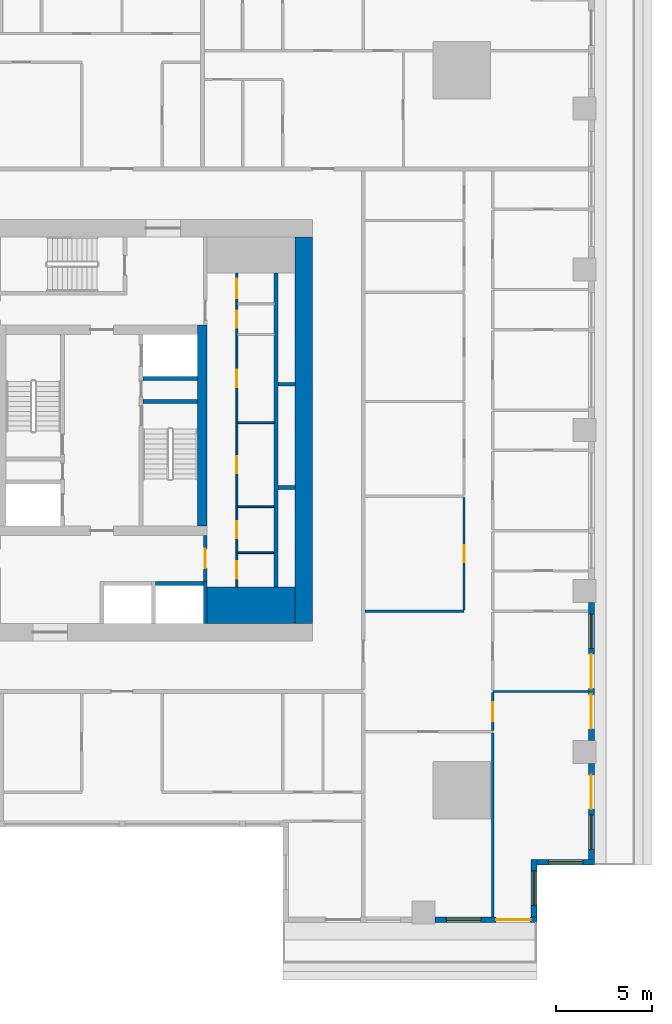
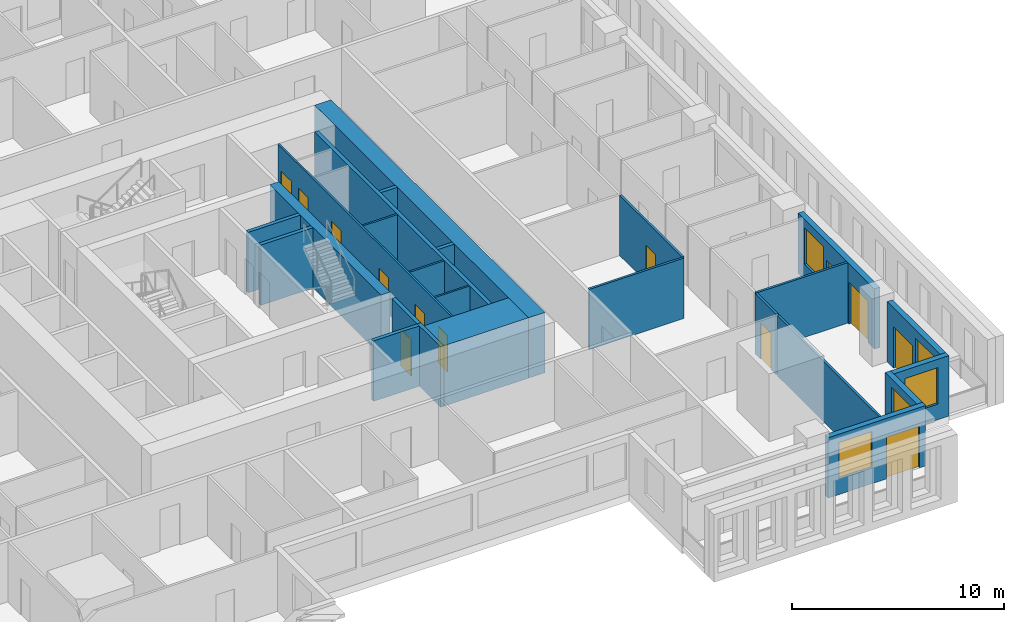
# One storey, part 5 of 15: 25 walls, 13 doors, 5 windows, 18 openings.
"""IFC4 building model written with IfcOpenShell, lengths in metres."""

from ifc_helpers import new_model, si_unit, direction, frame, frame_2d, origin, place, context, subcontext, project, spatial, rectangle, extrude, material, layer, layer_set, type_object, element, fill, save


model = new_model("IFC4")

# Units and contexts
model_context = context("Model", 3, precision=1e-05, world=origin(), true_north=direction((0.0, 1.0)))
body_context = subcontext(model_context, "Body", "Model", "MODEL_VIEW")
ifc_project = project(units=[si_unit("LENGTHUNIT", "METRE"), si_unit("AREAUNIT", "SQUARE_METRE"), si_unit("VOLUMEUNIT", "CUBIC_METRE"), si_unit("PLANEANGLEUNIT", "RADIAN"), si_unit("MASSUNIT", "GRAM", prefix="KILO")], contexts=[model_context])

# Site, building, storey
site_placement = place(None, origin())
site = spatial("IfcSite", under=ifc_project, at=site_placement, CompositionType="ELEMENT")
building_placement = place(site_placement, origin())
building = spatial("IfcBuilding", under=site, at=building_placement, Name="Khepri Terraces", CompositionType="ELEMENT")
storey_placement = place(building_placement, frame((0.0, 0.0, 54.300048828125)))
storey = spatial("IfcBuildingStorey", under=building, at=storey_placement, Name="L12", CompositionType="ELEMENT", Elevation=54.300048828125)

# Walls
ifc_material_1 = material(Name="Concrete C80/95", Category="concrete")
ifc_layer_1 = layer(ifc_material_1, 1.89990234375, Name="Concrete C80/95", Category="concrete")
ifc_layer_set_1 = layer_set([ifc_layer_1], Name="Concrete C80/95")
wall_type_1 = type_object("IfcWallType", Name="Core wall 1900 C80/95", PredefinedType="SHEAR", material=ifc_layer_set_1)
wall_1_placement = place(storey_placement, frame((5.5, -9.14990234375, 0.0), z_axis=(0.0, 0.0, 1.0), x_axis=(1.0, 0.0, 0.0)))
element("IfcWall", 1, at=wall_1_placement, inside=storey, type_object=wall_type_1, Name="Core wall PR02 L12", PredefinedType="SHEAR", context=body_context, shape_type="SweptSolid", body=[
    extrude(rectangle(XDim=4.60009765625, YDim=1.89990234375, at=frame_2d((2.300048828125, 0.0))), origin(), (0.0, 0.0, 1.0), 3.47998046875),
])
ifc_layer_2 = layer(ifc_material_1, 0.199951171875, Name="Concrete C80/95", Category="concrete")
ifc_layer_set_2 = layer_set([ifc_layer_2], Name="Concrete C80/95")
wall_type_2 = type_object("IfcWallType", Name="Core wall 200 C80/95", PredefinedType="SHEAR", material=ifc_layer_set_2)
wall_2_placement = place(storey_placement, frame((2.14990234375, 1.5, 0.0), z_axis=(0.0, 0.0, 1.0), x_axis=(1.0, 0.0, 0.0)))
element("IfcWall", 2, at=wall_2_placement, inside=storey, type_object=wall_type_2, Name="Core wall ST04 L12", PredefinedType="SHEAR", context=body_context, shape_type="SweptSolid", body=[
    extrude(rectangle(XDim=2.85009765625, YDim=0.199951171875, at=frame_2d((1.425048828125, 0.0))), origin(), (0.0, 0.0, 1.0), 3.47998046875),
])
wall_3_placement = place(storey_placement, frame((5.39990234375, -10.10009765625, 0.0), z_axis=(0.0, 0.0, 1.0), x_axis=(0.0, 1.0, 0.0)))
element("IfcWall", 3, at=wall_3_placement, inside=storey, type_object=wall_type_2, Name="Core wall SH03 L12", PredefinedType="SHEAR", context=body_context, shape_type="SweptSolid", body=[
    extrude(rectangle(XDim=2.2001953125, YDim=0.199951171875, at=frame_2d((1.10009765625, 0.0))), origin(), (0.0, 0.0, 1.0), 3.47998046875),
])
wall_4_placement = place(storey_placement, frame((9.10009765625, -8.199951171875, 0.0), z_axis=(0.0, 0.0, 1.0), x_axis=(0.0, 1.0, 0.0)))
element("IfcWall", 4, at=wall_4_placement, inside=storey, type_object=wall_type_2, Name="Core wall SH05 L12", PredefinedType="SHEAR", context=body_context, shape_type="SweptSolid", body=[
    extrude(rectangle(XDim=16.39990234375, YDim=0.199951171875, at=frame_2d((8.199951171875, 0.0))), origin(), (0.0, 0.0, 1.0), 3.47998046875),
])
wall_5_placement = place(storey_placement, frame((2.800048828125, -8.0, 0.0), z_axis=(0.0, 0.0, 1.0), x_axis=(1.0, 0.0, 0.0)))
element("IfcWall", 5, at=wall_5_placement, inside=storey, type_object=wall_type_2, Name="Core wall SH07 L12", PredefinedType="SHEAR", context=body_context, shape_type="SweptSolid", body=[
    extrude(rectangle(XDim=2.5, YDim=0.199951171875, at=frame_2d((1.25, 0.0))), origin(), (0.0, 0.0, 1.0), 3.47998046875),
])
for number, where, z_axis, x_axis, name in (
    (6, (9.199951171875, -3.0, 0.0), (0.0, 0.0, 1.0), (1.0, 0.0, 0.0), "Core wall SH11 L12"),
    (7, (9.199951171875, 2.39990234375, 0.0), (0.0, 0.0, 1.0), (1.0, 0.0, 0.0), "Core wall SH16 L12"),
):
    element("IfcWall", number, at=place(storey_placement, frame(where, z_axis=z_axis, x_axis=x_axis)), inside=storey, type_object=wall_type_2, Name=name, PredefinedType="SHEAR", context=body_context, shape_type="SweptSolid", body=[
        extrude(rectangle(XDim=0.900146484375, YDim=0.199951171875, at=frame_2d((0.4501953125, 0.0))), origin(), (0.0, 0.0, 1.0), 3.47998046875),
    ])
wall_6_placement = place(storey_placement, frame((2.14990234375, 2.699951171875, 0.0), z_axis=(0.0, 0.0, 1.0), x_axis=(1.0, 0.0, 0.0)))
element("IfcWall", 8, at=wall_6_placement, inside=storey, type_object=wall_type_2, Name="Core wall SH18 L12", PredefinedType="SHEAR", context=body_context, shape_type="SweptSolid", body=[
    extrude(rectangle(XDim=2.85009765625, YDim=0.199951171875, at=frame_2d((1.425048828125, 0.0))), origin(), (0.0, 0.0, 1.0), 3.47998046875),
])
ifc_layer_3 = layer(ifc_material_1, 0.5, Name="Concrete C80/95", Category="concrete")
ifc_layer_set_3 = layer_set([ifc_layer_3], Name="Concrete C80/95")
wall_type_3 = type_object("IfcWallType", Name="Core wall 500 C80/95", PredefinedType="SHEAR", material=ifc_layer_set_3)
wall_7_placement = place(storey_placement, frame((5.25, -5.0, 0.0), z_axis=(0.0, 0.0, 1.0), x_axis=(0.0, 1.0, 0.0)))
element("IfcWall", 9, at=wall_7_placement, inside=storey, type_object=wall_type_3, Name="Core wall BX03 L12", PredefinedType="SHEAR", context=body_context, shape_type="SweptSolid", body=[
    extrude(rectangle(XDim=10.5, YDim=0.5, at=frame_2d((5.25, 0.0))), origin(), (0.0, 0.0, 1.0), 3.47998046875),
])
ifc_layer_4 = layer(ifc_material_1, 0.89990234375, Name="Concrete C80/95", Category="concrete")
ifc_layer_set_4 = layer_set([ifc_layer_4], Name="Concrete C80/95")
wall_type_4 = type_object("IfcWallType", Name="Core wall 900 C80/95", PredefinedType="SHEAR", material=ifc_layer_set_4)
wall_8_placement = place(storey_placement, frame((10.550048828125, -10.10009765625, 0.0), z_axis=(0.0, 0.0, 1.0), x_axis=(0.0, 1.0, 0.0)))
element("IfcWall", 10, at=wall_8_placement, inside=storey, type_object=wall_type_4, Name="Core wall OW-E L12", PredefinedType="SHEAR", context=body_context, shape_type="SweptSolid", body=[
    extrude(rectangle(XDim=20.2001953125, YDim=0.89990234375, at=frame_2d((10.10009765625, 0.0))), origin(), (0.0, 0.0, 1.0), 3.47998046875),
])

# Wall, openings, doors
ifc_material_2 = material(Name="Fire-rated gypsum board partition")
ifc_layer_5 = layer(ifc_material_2, 0.10009765625, Name="Fire-rated gypsum board partition")
ifc_layer_set_5 = layer_set([ifc_layer_5], Name="Fire-rated gypsum board partition")
wall_type_5 = type_object("IfcWallType", Name="WL-CORE-PART-100", PredefinedType="PARTITIONING", material=ifc_layer_set_5)
wall_9_placement = place(storey_placement, frame((7.050048828125, -8.199951171875, 0.0), z_axis=(0.0, 0.0, 1.0), x_axis=(0.0, 1.0, 0.0)))
wall_9 = element("IfcWall", 11, at=wall_9_placement, inside=storey, type_object=wall_type_5, Name="Core partition PT02 L12", PredefinedType="PARTITIONING", context=body_context, shape_type="SweptSolid", body=[
    extrude(rectangle(XDim=16.39990234375, YDim=0.10009765625, at=frame_2d((8.199951171875, 0.0))), origin(), (0.0, 0.0, 1.0), 3.47998046875),
])
opening_1_placement = place(wall_9_placement, frame((0.449951171875, 0.0, 0.0)))
opening_1 = element("IfcOpeningElement", 12, at=opening_1_placement, cuts=wall_9, Name="Opening L12-C22", PredefinedType="OPENING", context=body_context, shape_type="SweptSolid", body=[
    extrude(rectangle(XDim=0.89990234375, YDim=2.10009765625, at=frame_2d((0.449951171875, 1.050048828125))), frame((0.0, 0.06005859375, 0.0), z_axis=(0.0, -1.0, 0.0), x_axis=(1.0, 0.0, 0.0)), (0.0, 0.0, 1.0), 0.1201171875),
])
opening_2_placement = place(wall_9_placement, frame((2.550048828125, 0.0, 0.0)))
opening_2 = element("IfcOpeningElement", 13, at=opening_2_placement, cuts=wall_9, Name="Opening L12-C23", PredefinedType="OPENING", context=body_context, shape_type="SweptSolid", body=[
    extrude(rectangle(XDim=0.89990234375, YDim=2.10009765625, at=frame_2d((0.449951171875, 1.050048828125))), frame((0.0, 0.06005859375, 0.0), z_axis=(0.0, -1.0, 0.0), x_axis=(1.0, 0.0, 0.0)), (0.0, 0.0, 1.0), 0.1201171875),
])
opening_3_placement = place(wall_9_placement, frame((5.949951171875, 0.0, 0.0)))
opening_3 = element("IfcOpeningElement", 14, at=opening_3_placement, cuts=wall_9, Name="Opening L12-C24", PredefinedType="OPENING", context=body_context, shape_type="SweptSolid", body=[
    extrude(rectangle(XDim=0.89990234375, YDim=2.10009765625, at=frame_2d((0.449951171875, 1.050048828125))), frame((0.0, 0.06005859375, 0.0), z_axis=(0.0, -1.0, 0.0), x_axis=(1.0, 0.0, 0.0)), (0.0, 0.0, 1.0), 0.1201171875),
])
opening_4_placement = place(wall_9_placement, frame((10.449951171875, 0.0, 0.0)))
opening_4 = element("IfcOpeningElement", 15, at=opening_4_placement, cuts=wall_9, Name="Opening L12-C25", PredefinedType="OPENING", context=body_context, shape_type="SweptSolid", body=[
    extrude(rectangle(XDim=0.89990234375, YDim=2.10009765625, at=frame_2d((0.449951171875, 1.050048828125))), frame((0.0, 0.06005859375, 0.0), z_axis=(0.0, -1.0, 0.0), x_axis=(1.0, 0.0, 0.0)), (0.0, 0.0, 1.0), 0.1201171875),
])
opening_5_placement = place(wall_9_placement, frame((13.550048828125, 0.0, 0.0)))
opening_5 = element("IfcOpeningElement", 16, at=opening_5_placement, cuts=wall_9, Name="Opening L12-C26", PredefinedType="OPENING", context=body_context, shape_type="SweptSolid", body=[
    extrude(rectangle(XDim=0.89990234375, YDim=2.10009765625, at=frame_2d((0.449951171875, 1.050048828125))), frame((0.0, 0.06005859375, 0.0), z_axis=(0.0, -1.0, 0.0), x_axis=(1.0, 0.0, 0.0)), (0.0, 0.0, 1.0), 0.1201171875),
])
opening_6_placement = place(wall_9_placement, frame((15.10009765625, 0.0, 0.0)))
opening_6 = element("IfcOpeningElement", 17, at=opening_6_placement, cuts=wall_9, Name="Opening L12-C27", PredefinedType="OPENING", context=body_context, shape_type="SweptSolid", body=[
    extrude(rectangle(XDim=1.0, YDim=2.10009765625, at=frame_2d((0.5, 1.050048828125))), frame((0.0, 0.06005859375, 0.0), z_axis=(0.0, -1.0, 0.0), x_axis=(1.0, 0.0, 0.0)), (0.0, 0.0, 1.0), 0.1201171875),
])
ifc_material_3 = material(Name="Painted steel", Category="steel")
door_type_1 = type_object("IfcDoorType", Name="DR-CORE-SERVICE-900", OperationType="NOTDEFINED", PredefinedType="DOOR", material=ifc_material_3)
door_1_placement = place(opening_1_placement, frame((0.89990234375, 0.0, 0.0), z_axis=(0.0, 0.0, 1.0), x_axis=(-1.0, 0.0, 0.0)))
door_1 = element("IfcDoor", 18, at=door_1_placement, inside=storey, type_object=door_type_1, Name="Service room door L12-C22", OperationType="SINGLE_SWING_RIGHT", OverallHeight=2.10009765625, OverallWidth=0.89990234375, PredefinedType="DOOR", context=body_context, shape_type="SweptSolid", body=[
    extrude(rectangle(XDim=0.89990234375, YDim=2.10009765625, at=frame_2d((0.449951171875, 1.050048828125))), frame((0.0, 0.02490234375, 0.0), z_axis=(0.0, -1.0, 0.0), x_axis=(1.0, 0.0, 0.0)), (0.0, 0.0, 1.0), 0.050048828125),
])
fill(opening_1, door_1)
door_2_placement = place(opening_2_placement, frame((0.89990234375, 0.0, 0.0), z_axis=(0.0, 0.0, 1.0), x_axis=(-1.0, 0.0, 0.0)))
door_2 = element("IfcDoor", 19, at=door_2_placement, inside=storey, type_object=door_type_1, Name="Service room door L12-C23", OperationType="SINGLE_SWING_RIGHT", OverallHeight=2.10009765625, OverallWidth=0.89990234375, PredefinedType="DOOR", context=body_context, shape_type="SweptSolid", body=[
    extrude(rectangle(XDim=0.89990234375, YDim=2.10009765625, at=frame_2d((0.449951171875, 1.050048828125))), frame((0.0, 0.02490234375, 0.0), z_axis=(0.0, -1.0, 0.0), x_axis=(1.0, 0.0, 0.0)), (0.0, 0.0, 1.0), 0.050048828125),
])
fill(opening_2, door_2)
door_3_placement = place(opening_3_placement, frame((0.89990234375, 0.0, 0.0), z_axis=(0.0, 0.0, 1.0), x_axis=(-1.0, 0.0, 0.0)))
door_3 = element("IfcDoor", 20, at=door_3_placement, inside=storey, type_object=door_type_1, Name="Service room door L12-C24", OperationType="SINGLE_SWING_RIGHT", OverallHeight=2.10009765625, OverallWidth=0.89990234375, PredefinedType="DOOR", context=body_context, shape_type="SweptSolid", body=[
    extrude(rectangle(XDim=0.89990234375, YDim=2.10009765625, at=frame_2d((0.449951171875, 1.050048828125))), frame((0.0, 0.02490234375, 0.0), z_axis=(0.0, -1.0, 0.0), x_axis=(1.0, 0.0, 0.0)), (0.0, 0.0, 1.0), 0.050048828125),
])
fill(opening_3, door_3)
door_4_placement = place(opening_4_placement, frame((0.89990234375, 0.0, 0.0), z_axis=(0.0, 0.0, 1.0), x_axis=(-1.0, 0.0, 0.0)))
door_4 = element("IfcDoor", 21, at=door_4_placement, inside=storey, type_object=door_type_1, Name="Service room door L12-C25", OperationType="SINGLE_SWING_LEFT", OverallHeight=2.10009765625, OverallWidth=0.89990234375, PredefinedType="DOOR", context=body_context, shape_type="SweptSolid", body=[
    extrude(rectangle(XDim=0.89990234375, YDim=2.10009765625, at=frame_2d((0.449951171875, 1.050048828125))), frame((0.0, 0.02490234375, 0.0), z_axis=(0.0, -1.0, 0.0), x_axis=(1.0, 0.0, 0.0)), (0.0, 0.0, 1.0), 0.050048828125),
])
fill(opening_4, door_4)
door_5_placement = place(opening_5_placement, frame((0.89990234375, 0.0, 0.0), z_axis=(0.0, 0.0, 1.0), x_axis=(-1.0, 0.0, 0.0)))
door_5 = element("IfcDoor", 22, at=door_5_placement, inside=storey, type_object=door_type_1, Name="Service room door L12-C26", OperationType="SINGLE_SWING_LEFT", OverallHeight=2.10009765625, OverallWidth=0.89990234375, PredefinedType="DOOR", context=body_context, shape_type="SweptSolid", body=[
    extrude(rectangle(XDim=0.89990234375, YDim=2.10009765625, at=frame_2d((0.449951171875, 1.050048828125))), frame((0.0, 0.02490234375, 0.0), z_axis=(0.0, -1.0, 0.0), x_axis=(1.0, 0.0, 0.0)), (0.0, 0.0, 1.0), 0.050048828125),
])
fill(opening_5, door_5)
ifc_material_4 = material(Name="Timber veneer", Category="wood")
door_type_2 = type_object("IfcDoorType", Name="DR-CORE-WC-1000", OperationType="NOTDEFINED", PredefinedType="DOOR", material=ifc_material_4)
door_6_placement = place(opening_6_placement, frame((1.0, 0.0, 0.0), z_axis=(0.0, 0.0, 1.0), x_axis=(-1.0, 0.0, 0.0)))
door_6 = element("IfcDoor", 23, at=door_6_placement, inside=storey, type_object=door_type_2, Name="WC door L12-C27", OperationType="SINGLE_SWING_LEFT", OverallHeight=2.10009765625, OverallWidth=1.0, PredefinedType="DOOR", context=body_context, shape_type="SweptSolid", body=[
    extrude(rectangle(XDim=1.0, YDim=2.10009765625, at=frame_2d((0.5, 1.050048828125))), frame((0.0, 0.02490234375, 0.0), z_axis=(0.0, -1.0, 0.0), x_axis=(1.0, 0.0, 0.0)), (0.0, 0.0, 1.0), 0.050048828125),
])
fill(opening_6, door_6)

# Walls
for number, where, z_axis, x_axis, name in (
    (24, (7.10009765625, -6.39990234375, 0.0), (0.0, 0.0, 1.0), (1.0, 0.0, 0.0), "Core partition PT04 L12"),
    (25, (7.10009765625, -4.0, 0.0), (0.0, 0.0, 1.0), (1.0, 0.0, 0.0), "Core partition PT05 L12"),
    (26, (7.10009765625, 0.39990234375, 0.0), (0.0, 0.0, 1.0), (1.0, 0.0, 0.0), "Core partition PT06 L12"),
):
    element("IfcWall", number, at=place(storey_placement, frame(where, z_axis=z_axis, x_axis=x_axis)), inside=storey, type_object=wall_type_5, Name=name, PredefinedType="PARTITIONING", context=body_context, shape_type="SweptSolid", body=[
        extrude(rectangle(XDim=1.89990234375, YDim=0.10009765625, at=frame_2d((0.949951171875, 0.0))), origin(), (0.0, 0.0, 1.0), 3.47998046875),
    ])

# Wall, opening, door
ifc_layer_6 = layer(ifc_material_2, 0.199951171875, Name="Fire-rated gypsum board partition")
ifc_layer_set_6 = layer_set([ifc_layer_6], Name="Fire-rated gypsum board partition")
wall_type_6 = type_object("IfcWallType", Name="WL-CORE-PART-200", PredefinedType="PARTITIONING", material=ifc_layer_set_6)
wall_10_placement = place(storey_placement, frame((5.39990234375, -7.89990234375, 0.0), z_axis=(0.0, 0.0, 1.0), x_axis=(0.0, 1.0, 0.0)))
wall_10 = element("IfcWall", 27, at=wall_10_placement, inside=storey, type_object=wall_type_6, Name="Core partition PT03 L12", PredefinedType="PARTITIONING", context=body_context, shape_type="SweptSolid", body=[
    extrude(rectangle(XDim=2.39990234375, YDim=0.199951171875, at=frame_2d((1.199951171875, 0.0))), origin(), (0.0, 0.0, 1.0), 3.47998046875),
])
opening_7_placement = place(wall_10_placement, frame((0.699951171875, 0.0, 0.0)))
opening_7 = element("IfcOpeningElement", 28, at=opening_7_placement, cuts=wall_10, Name="Opening L12-C19", PredefinedType="OPENING", context=body_context, shape_type="SweptSolid", body=[
    extrude(rectangle(XDim=1.0, YDim=2.10009765625, at=frame_2d((0.5, 1.050048828125))), frame((0.0, 0.10986328125, 0.0), z_axis=(0.0, -1.0, 0.0), x_axis=(1.0, 0.0, 0.0)), (0.0, 0.0, 1.0), 0.219970703125),
])
door_type_3 = type_object("IfcDoorType", Name="DR-CORE-LOBBY-1000", OperationType="NOTDEFINED", PredefinedType="DOOR", material=ifc_material_3)
door_7_placement = place(opening_7_placement, origin())
door_7 = element("IfcDoor", 29, at=door_7_placement, inside=storey, type_object=door_type_3, Name="Lobby door L12-C19", OperationType="SINGLE_SWING_RIGHT", OverallHeight=2.10009765625, OverallWidth=1.0, PredefinedType="DOOR", context=body_context, shape_type="SweptSolid", body=[
    extrude(rectangle(XDim=1.0, YDim=2.10009765625, at=frame_2d((0.5, 1.050048828125))), frame((0.0, 0.02490234375, 0.0), z_axis=(0.0, -1.0, 0.0), x_axis=(1.0, 0.0, 0.0)), (0.0, 0.0, 1.0), 0.050048828125),
])
fill(opening_7, door_7)

# Wall, opening, window
ifc_material_5 = material(Name="Precast concrete C50/60 warm stone", Category="masonry")
ifc_layer_7 = layer(ifc_material_5, 0.300048828125, Name="Precast concrete C50/60 warm stone", Category="masonry")
ifc_layer_set_7 = layer_set([ifc_layer_7], Name="Precast concrete C50/60 warm stone")
wall_type_7 = type_object("IfcWallType", Name="WL-EXT-PRECAST-300", PredefinedType="STANDARD", material=ifc_layer_set_7)
wall_11_placement = place(storey_placement, frame((22.719970703125, -22.570068359375, 0.0), z_axis=(0.0, 0.0, 1.0), x_axis=(1.0, 0.0, 0.0)))
wall_11 = element("IfcWall", 30, at=wall_11_placement, inside=storey, type_object=wall_type_7, Name="External wall L12 S", PredefinedType="STANDARD", context=body_context, shape_type="SweptSolid", body=[
    extrude(rectangle(XDim=3.0, YDim=0.300048828125, at=frame_2d((1.5, 0.0))), origin(), (0.0, 0.0, 1.0), 3.47998046875),
])
opening_8_placement = place(wall_11_placement, frame((0.60009765625, 0.0, 0.89990234375)))
opening_8 = element("IfcOpeningElement", 31, at=opening_8_placement, cuts=wall_11, Name="Opening W1", PredefinedType="OPENING", context=body_context, shape_type="SweptSolid", body=[
    extrude(rectangle(XDim=1.800048828125, YDim=2.10009765625, at=frame_2d((0.89990234375, 1.050048828125))), frame((0.0, 0.16015625, 0.0), z_axis=(0.0, -1.0, 0.0), x_axis=(1.0, 0.0, 0.0)), (0.0, 0.0, 1.0), 0.320068359375),
])
ifc_material_6 = material(Name="Clear glass", Category="glass")
window_type = type_object("IfcWindowType", Name="WIN-RES-1800x2100", PartitioningType="SINGLE_PANEL", PredefinedType="WINDOW", material=ifc_material_6)
window_1_placement = place(opening_8_placement, origin())
window_1 = element("IfcWindow", 32, at=window_1_placement, inside=storey, type_object=window_type, Name="Window L12 S", OverallHeight=2.10009765625, OverallWidth=1.800048828125, PartitioningType="SINGLE_PANEL", PredefinedType="WINDOW", context=body_context, shape_type="SweptSolid", body=[
    extrude(rectangle(XDim=1.800048828125, YDim=2.10009765625, at=frame_2d((0.89990234375, 1.050048828125))), frame((0.0, 0.030029296875, 0.0), z_axis=(0.0, -1.0, 0.0), x_axis=(1.0, 0.0, 0.0)), (0.0, 0.0, 1.0), 0.06005859375),
])
fill(opening_8, window_1)

# Wall, openings, door, window
wall_12_placement = place(storey_placement, frame((25.570068359375, -22.419921875, 0.0), z_axis=(0.0, 0.0, 1.0), x_axis=(0.0, 1.0, 0.0)))
wall_12 = element("IfcWall", 33, at=wall_12_placement, inside=storey, type_object=wall_type_7, Name="External wall L12 E", PredefinedType="STANDARD", context=body_context, shape_type="SweptSolid", body=[
    extrude(rectangle(XDim=5.02001953125, YDim=0.300048828125, at=frame_2d((2.510009765625, 0.0))), origin(), (0.0, 0.0, 1.0), 3.47998046875),
])
opening_9_placement = place(wall_12_placement, frame((0.52001953125, 0.0, 0.89990234375)))
opening_9 = element("IfcOpeningElement", 34, at=opening_9_placement, cuts=wall_12, Name="Opening W1", PredefinedType="OPENING", context=body_context, shape_type="SweptSolid", body=[
    extrude(rectangle(XDim=1.800048828125, YDim=2.10009765625, at=frame_2d((0.89990234375, 1.050048828125))), frame((0.0, 0.16015625, 0.0), z_axis=(0.0, -1.0, 0.0), x_axis=(1.0, 0.0, 0.0)), (0.0, 0.0, 1.0), 0.320068359375),
])
opening_10_placement = place(wall_12_placement, frame((2.6201171875, 0.0, 0.0)))
opening_10 = element("IfcOpeningElement", 35, at=opening_10_placement, cuts=wall_12, Name="Opening ED-L12-01", PredefinedType="OPENING", context=body_context, shape_type="SweptSolid", body=[
    extrude(rectangle(XDim=1.800048828125, YDim=2.39990234375, at=frame_2d((0.89990234375, 1.199951171875))), frame((0.0, 0.16015625, 0.0), z_axis=(0.0, -1.0, 0.0), x_axis=(1.0, 0.0, 0.0)), (0.0, 0.0, 1.0), 0.320068359375),
])
ifc_material_7 = material(Name="Anodised aluminium bronze glazed door", Category="aluminium")
door_type_4 = type_object("IfcDoorType", Name="DR-BAL-SLIDE-1800x2400", OperationType="NOTDEFINED", PredefinedType="DOOR", material=ifc_material_7)
door_8_placement = place(opening_10_placement, origin())
door_8 = element("IfcDoor", 36, at=door_8_placement, inside=storey, type_object=door_type_4, Name="Balcony door L12 E", OperationType="SLIDING_TO_RIGHT", OverallHeight=2.39990234375, OverallWidth=1.800048828125, PredefinedType="DOOR", context=body_context, shape_type="SweptSolid", body=[
    extrude(rectangle(XDim=1.800048828125, YDim=2.39990234375, at=frame_2d((0.89990234375, 1.199951171875))), frame((0.0, 0.02490234375, 0.0), z_axis=(0.0, -1.0, 0.0), x_axis=(1.0, 0.0, 0.0)), (0.0, 0.0, 1.0), 0.050048828125),
])
fill(opening_10, door_8)
window_2_placement = place(opening_9_placement, origin())
window_2 = element("IfcWindow", 37, at=window_2_placement, inside=storey, type_object=window_type, Name="Window L12 E", OverallHeight=2.10009765625, OverallWidth=1.800048828125, PartitioningType="SINGLE_PANEL", PredefinedType="WINDOW", context=body_context, shape_type="SweptSolid", body=[
    extrude(rectangle(XDim=1.800048828125, YDim=2.10009765625, at=frame_2d((0.89990234375, 1.050048828125))), frame((0.0, 0.030029296875, 0.0), z_axis=(0.0, -1.0, 0.0), x_axis=(1.0, 0.0, 0.0)), (0.0, 0.0, 1.0), 0.06005859375),
])
fill(opening_9, window_2)

# Wall, openings, doors, window
wall_13_placement = place(storey_placement, frame((25.570068359375, -16.199951171875, 0.0), z_axis=(0.0, 0.0, 1.0), x_axis=(0.0, 1.0, 0.0)))
wall_13 = element("IfcWall", 38, at=wall_13_placement, inside=storey, type_object=wall_type_7, Name="External wall L12 E", PredefinedType="STANDARD", context=body_context, shape_type="SweptSolid", body=[
    extrude(rectangle(XDim=7.199951171875, YDim=0.300048828125, at=frame_2d((3.60009765625, 0.0))), origin(), (0.0, 0.0, 1.0), 3.47998046875),
])
opening_11_placement = place(wall_13_placement, frame((0.60009765625, 0.0, 0.0)))
opening_11 = element("IfcOpeningElement", 39, at=opening_11_placement, cuts=wall_13, Name="Opening ED-L12-02", PredefinedType="OPENING", context=body_context, shape_type="SweptSolid", body=[
    extrude(rectangle(XDim=1.800048828125, YDim=2.39990234375, at=frame_2d((0.89990234375, 1.199951171875))), frame((0.0, 0.16015625, 0.0), z_axis=(0.0, -1.0, 0.0), x_axis=(1.0, 0.0, 0.0)), (0.0, 0.0, 1.0), 0.320068359375),
])
opening_12_placement = place(wall_13_placement, frame((2.699951171875, 0.0, 0.0)))
opening_12 = element("IfcOpeningElement", 40, at=opening_12_placement, cuts=wall_13, Name="Opening ED-L12-03", PredefinedType="OPENING", context=body_context, shape_type="SweptSolid", body=[
    extrude(rectangle(XDim=1.800048828125, YDim=2.39990234375, at=frame_2d((0.89990234375, 1.199951171875))), frame((0.0, 0.16015625, 0.0), z_axis=(0.0, -1.0, 0.0), x_axis=(1.0, 0.0, 0.0)), (0.0, 0.0, 1.0), 0.320068359375),
])
opening_13_placement = place(wall_13_placement, frame((4.800048828125, 0.0, 0.89990234375)))
opening_13 = element("IfcOpeningElement", 41, at=opening_13_placement, cuts=wall_13, Name="Opening W1", PredefinedType="OPENING", context=body_context, shape_type="SweptSolid", body=[
    extrude(rectangle(XDim=1.800048828125, YDim=2.10009765625, at=frame_2d((0.89990234375, 1.050048828125))), frame((0.0, 0.16015625, 0.0), z_axis=(0.0, -1.0, 0.0), x_axis=(1.0, 0.0, 0.0)), (0.0, 0.0, 1.0), 0.320068359375),
])
door_9_placement = place(opening_11_placement, origin())
door_9 = element("IfcDoor", 42, at=door_9_placement, inside=storey, type_object=door_type_4, Name="Balcony door L12 E", OperationType="SLIDING_TO_LEFT", OverallHeight=2.39990234375, OverallWidth=1.800048828125, PredefinedType="DOOR", context=body_context, shape_type="SweptSolid", body=[
    extrude(rectangle(XDim=1.800048828125, YDim=2.39990234375, at=frame_2d((0.89990234375, 1.199951171875))), frame((0.0, 0.02490234375, 0.0), z_axis=(0.0, -1.0, 0.0), x_axis=(1.0, 0.0, 0.0)), (0.0, 0.0, 1.0), 0.050048828125),
])
fill(opening_11, door_9)
door_10_placement = place(opening_12_placement, origin())
door_10 = element("IfcDoor", 43, at=door_10_placement, inside=storey, type_object=door_type_4, Name="Balcony door L12 E", OperationType="SLIDING_TO_RIGHT", OverallHeight=2.39990234375, OverallWidth=1.800048828125, PredefinedType="DOOR", context=body_context, shape_type="SweptSolid", body=[
    extrude(rectangle(XDim=1.800048828125, YDim=2.39990234375, at=frame_2d((0.89990234375, 1.199951171875))), frame((0.0, 0.02490234375, 0.0), z_axis=(0.0, -1.0, 0.0), x_axis=(1.0, 0.0, 0.0)), (0.0, 0.0, 1.0), 0.050048828125),
])
fill(opening_12, door_10)
window_3_placement = place(opening_13_placement, origin())
window_3 = element("IfcWindow", 44, at=window_3_placement, inside=storey, type_object=window_type, Name="Window L12 E", OverallHeight=2.10009765625, OverallWidth=1.800048828125, PartitioningType="SINGLE_PANEL", PredefinedType="WINDOW", context=body_context, shape_type="SweptSolid", body=[
    extrude(rectangle(XDim=1.800048828125, YDim=2.10009765625, at=frame_2d((0.89990234375, 1.050048828125))), frame((0.0, 0.030029296875, 0.0), z_axis=(0.0, -1.0, 0.0), x_axis=(1.0, 0.0, 0.0)), (0.0, 0.0, 1.0), 0.06005859375),
])
fill(opening_13, window_3)

# Wall, openings, door, window
wall_14_placement = place(storey_placement, frame((17.39990234375, -25.570068359375, 0.0), z_axis=(0.0, 0.0, 1.0), x_axis=(1.0, 0.0, 0.0)))
wall_14 = element("IfcWall", 45, at=wall_14_placement, inside=storey, type_object=wall_type_7, Name="External wall L12 S", PredefinedType="STANDARD", context=body_context, shape_type="SweptSolid", body=[
    extrude(rectangle(XDim=5.320068359375, YDim=0.300048828125, at=frame_2d((2.66015625, 0.0))), origin(), (0.0, 0.0, 1.0), 3.47998046875),
])
opening_14_placement = place(wall_14_placement, frame((0.60009765625, 0.0, 0.89990234375)))
opening_14 = element("IfcOpeningElement", 46, at=opening_14_placement, cuts=wall_14, Name="Opening W1", PredefinedType="OPENING", context=body_context, shape_type="SweptSolid", body=[
    extrude(rectangle(XDim=1.800048828125, YDim=2.10009765625, at=frame_2d((0.89990234375, 1.050048828125))), frame((0.0, 0.16015625, 0.0), z_axis=(0.0, -1.0, 0.0), x_axis=(1.0, 0.0, 0.0)), (0.0, 0.0, 1.0), 0.320068359375),
])
opening_15_placement = place(wall_14_placement, frame((3.195068359375, 0.0, 0.0)))
opening_15 = element("IfcOpeningElement", 47, at=opening_15_placement, cuts=wall_14, Name="Opening ED-L12-20", PredefinedType="OPENING", context=body_context, shape_type="SweptSolid", body=[
    extrude(rectangle(XDim=1.800048828125, YDim=2.39990234375, at=frame_2d((0.89990234375, 1.199951171875))), frame((0.0, 0.16015625, 0.0), z_axis=(0.0, -1.0, 0.0), x_axis=(1.0, 0.0, 0.0)), (0.0, 0.0, 1.0), 0.320068359375),
])
door_11_placement = place(opening_15_placement, origin())
door_11 = element("IfcDoor", 48, at=door_11_placement, inside=storey, type_object=door_type_4, Name="Balcony door L12 S", OperationType="SLIDING_TO_RIGHT", OverallHeight=2.39990234375, OverallWidth=1.800048828125, PredefinedType="DOOR", context=body_context, shape_type="SweptSolid", body=[
    extrude(rectangle(XDim=1.800048828125, YDim=2.39990234375, at=frame_2d((0.89990234375, 1.199951171875))), frame((0.0, 0.02490234375, 0.0), z_axis=(0.0, -1.0, 0.0), x_axis=(1.0, 0.0, 0.0)), (0.0, 0.0, 1.0), 0.050048828125),
])
fill(opening_15, door_11)
window_4_placement = place(opening_14_placement, origin())
window_4 = element("IfcWindow", 49, at=window_4_placement, inside=storey, type_object=window_type, Name="Window L12 S", OverallHeight=2.10009765625, OverallWidth=1.800048828125, PartitioningType="SINGLE_PANEL", PredefinedType="WINDOW", context=body_context, shape_type="SweptSolid", body=[
    extrude(rectangle(XDim=1.800048828125, YDim=2.10009765625, at=frame_2d((0.89990234375, 1.050048828125))), frame((0.0, 0.030029296875, 0.0), z_axis=(0.0, -1.0, 0.0), x_axis=(1.0, 0.0, 0.0)), (0.0, 0.0, 1.0), 0.06005859375),
])
fill(opening_14, window_4)

# Wall, opening, window
wall_15_placement = place(storey_placement, frame((22.570068359375, -25.419921875, 0.0), z_axis=(0.0, 0.0, 1.0), x_axis=(0.0, 1.0, 0.0)))
wall_15 = element("IfcWall", 50, at=wall_15_placement, inside=storey, type_object=wall_type_7, Name="External wall L12 E", PredefinedType="STANDARD", context=body_context, shape_type="SweptSolid", body=[
    extrude(rectangle(XDim=3.0, YDim=0.300048828125, at=frame_2d((1.5, 0.0))), origin(), (0.0, 0.0, 1.0), 3.47998046875),
])
opening_16_placement = place(wall_15_placement, frame((0.60009765625, 0.0, 0.89990234375)))
opening_16 = element("IfcOpeningElement", 51, at=opening_16_placement, cuts=wall_15, Name="Opening W1", PredefinedType="OPENING", context=body_context, shape_type="SweptSolid", body=[
    extrude(rectangle(XDim=1.800048828125, YDim=2.10009765625, at=frame_2d((0.89990234375, 1.050048828125))), frame((0.0, 0.16015625, 0.0), z_axis=(0.0, -1.0, 0.0), x_axis=(1.0, 0.0, 0.0)), (0.0, 0.0, 1.0), 0.320068359375),
])
window_5_placement = place(opening_16_placement, origin())
window_5 = element("IfcWindow", 52, at=window_5_placement, inside=storey, type_object=window_type, Name="Window L12 E", OverallHeight=2.10009765625, OverallWidth=1.800048828125, PartitioningType="SINGLE_PANEL", PredefinedType="WINDOW", context=body_context, shape_type="SweptSolid", body=[
    extrude(rectangle(XDim=1.800048828125, YDim=2.10009765625, at=frame_2d((0.89990234375, 1.050048828125))), frame((0.0, 0.030029296875, 0.0), z_axis=(0.0, -1.0, 0.0), x_axis=(1.0, 0.0, 0.0)), (0.0, 0.0, 1.0), 0.06005859375),
])
fill(opening_16, window_5)

# Wall
ifc_material_8 = material(Name="Gypsum plasterboard partition")
ifc_layer_8 = layer(ifc_material_8, 0.1201171875, Name="Gypsum plasterboard partition")
ifc_layer_set_8 = layer_set([ifc_layer_8], Name="Gypsum plasterboard partition")
wall_type_8 = type_object("IfcWallType", Name="WL-PART-120", PredefinedType="PARTITIONING", material=ifc_layer_set_8)
wall_16_placement = place(storey_placement, frame((20.419921875, -25.419921875, 0.0), z_axis=(0.0, 0.0, 1.0), x_axis=(0.0, 1.0, 0.0)))
element("IfcWall", 53, at=wall_16_placement, inside=storey, type_object=wall_type_8, Name="Partition P-002 L12", PredefinedType="PARTITIONING", context=body_context, shape_type="SweptSolid", body=[
    extrude(rectangle(XDim=9.60986328125, YDim=0.1201171875, at=frame_2d((4.804931640625, 0.0))), origin(), (0.0, 0.0, 1.0), 3.47998046875),
])

# Wall, opening, door
wall_17_placement = place(storey_placement, frame((20.419921875, -15.68994140625, 0.0), z_axis=(0.0, 0.0, 1.0), x_axis=(0.0, 1.0, 0.0)))
wall_17 = element("IfcWall", 54, at=wall_17_placement, inside=storey, type_object=wall_type_8, Name="Partition P-019 L12", PredefinedType="PARTITIONING", context=body_context, shape_type="SweptSolid", body=[
    extrude(rectangle(XDim=1.97998046875, YDim=0.1201171875, at=frame_2d((0.989990234375, 0.0))), origin(), (0.0, 0.0, 1.0), 3.47998046875),
])
opening_17_placement = place(wall_17_placement, frame((0.489990234375, 0.0, 0.0)))
opening_17 = element("IfcOpeningElement", 55, at=opening_17_placement, cuts=wall_17, Name="Opening D2", PredefinedType="OPENING", context=body_context, shape_type="SweptSolid", body=[
    extrude(rectangle(XDim=1.0, YDim=2.10009765625, at=frame_2d((0.5, 1.050048828125))), frame((0.0, 0.070068359375, 0.0), z_axis=(0.0, -1.0, 0.0), x_axis=(1.0, 0.0, 0.0)), (0.0, 0.0, 1.0), 0.14013671875),
])
ifc_material_9 = material(Name="Timber door leaf, living room door", Category="wood")
door_type_5 = type_object("IfcDoorType", Name="DR-INT-1000", OperationType="NOTDEFINED", PredefinedType="DOOR", material=ifc_material_9)
door_12_placement = place(opening_17_placement, frame((1.0, 0.0, 0.0), z_axis=(0.0, 0.0, 1.0), x_axis=(-1.0, 0.0, 0.0)))
door_12 = element("IfcDoor", 56, at=door_12_placement, inside=storey, type_object=door_type_5, Name="Door Living Room", OperationType="SINGLE_SWING_LEFT", OverallHeight=2.10009765625, OverallWidth=1.0, PredefinedType="DOOR", context=body_context, shape_type="SweptSolid", body=[
    extrude(rectangle(XDim=1.0, YDim=2.10009765625, at=frame_2d((0.5, 1.050048828125))), frame((0.0, 0.02490234375, 0.0), z_axis=(0.0, -1.0, 0.0), x_axis=(1.0, 0.0, 0.0)), (0.0, 0.0, 1.0), 0.050048828125),
])
fill(opening_17, door_12)

# Walls
wall_18_placement = place(storey_placement, frame((20.419921875, -13.64990234375, 0.0), z_axis=(0.0, 0.0, 1.0), x_axis=(1.0, 0.0, 0.0)))
element("IfcWall", 57, at=wall_18_placement, inside=storey, type_object=wall_type_8, Name="Partition P-021 L12", PredefinedType="PARTITIONING", context=body_context, shape_type="SweptSolid", body=[
    extrude(rectangle(XDim=5.0, YDim=0.1201171875, at=frame_2d((2.5, 0.0))), origin(), (0.0, 0.0, 1.0), 3.47998046875),
])
wall_19_placement = place(storey_placement, frame((13.75, -9.449951171875, 0.0), z_axis=(0.0, 0.0, 1.0), x_axis=(1.0, 0.0, 0.0)))
element("IfcWall", 58, at=wall_19_placement, inside=storey, type_object=wall_type_8, Name="Partition P-033 L12", PredefinedType="PARTITIONING", context=body_context, shape_type="SweptSolid", body=[
    extrude(rectangle(XDim=5.169921875, YDim=0.1201171875, at=frame_2d((2.5849609375, 0.0))), origin(), (0.0, 0.0, 1.0), 3.47998046875),
])

# Wall, opening, door
wall_20_placement = place(storey_placement, frame((18.919921875, -9.389892578125, 0.0), z_axis=(0.0, 0.0, 1.0), x_axis=(0.0, 1.0, 0.0)))
wall_20 = element("IfcWall", 59, at=wall_20_placement, inside=storey, type_object=wall_type_8, Name="Partition P-037 L12", PredefinedType="PARTITIONING", context=body_context, shape_type="SweptSolid", body=[
    extrude(rectangle(XDim=5.8798828125, YDim=0.1201171875, at=frame_2d((2.93994140625, 0.0))), origin(), (0.0, 0.0, 1.0), 3.47998046875),
])
opening_18_placement = place(wall_20_placement, frame((2.489990234375, 0.0, 0.0)))
opening_18 = element("IfcOpeningElement", 60, at=opening_18_placement, cuts=wall_20, Name="Opening D3", PredefinedType="OPENING", context=body_context, shape_type="SweptSolid", body=[
    extrude(rectangle(XDim=0.89990234375, YDim=2.10009765625, at=frame_2d((0.449951171875, 1.050048828125))), frame((0.0, 0.070068359375, 0.0), z_axis=(0.0, -1.0, 0.0), x_axis=(1.0, 0.0, 0.0)), (0.0, 0.0, 1.0), 0.14013671875),
])
ifc_material_10 = material(Name="Timber door leaf", Category="wood")
door_type_6 = type_object("IfcDoorType", Name="DR-INT-900", OperationType="NOTDEFINED", PredefinedType="DOOR", material=ifc_material_10)
door_13_placement = place(opening_18_placement, origin())
door_13 = element("IfcDoor", 61, at=door_13_placement, inside=storey, type_object=door_type_6, Name="Door Kitchen", OperationType="SINGLE_SWING_RIGHT", OverallHeight=2.10009765625, OverallWidth=0.89990234375, PredefinedType="DOOR", context=body_context, shape_type="SweptSolid", body=[
    extrude(rectangle(XDim=0.89990234375, YDim=2.10009765625, at=frame_2d((0.449951171875, 1.050048828125))), frame((0.0, 0.02490234375, 0.0), z_axis=(0.0, -1.0, 0.0), x_axis=(1.0, 0.0, 0.0)), (0.0, 0.0, 1.0), 0.050048828125),
])
fill(opening_18, door_13)

save(model, "model.ifc")
